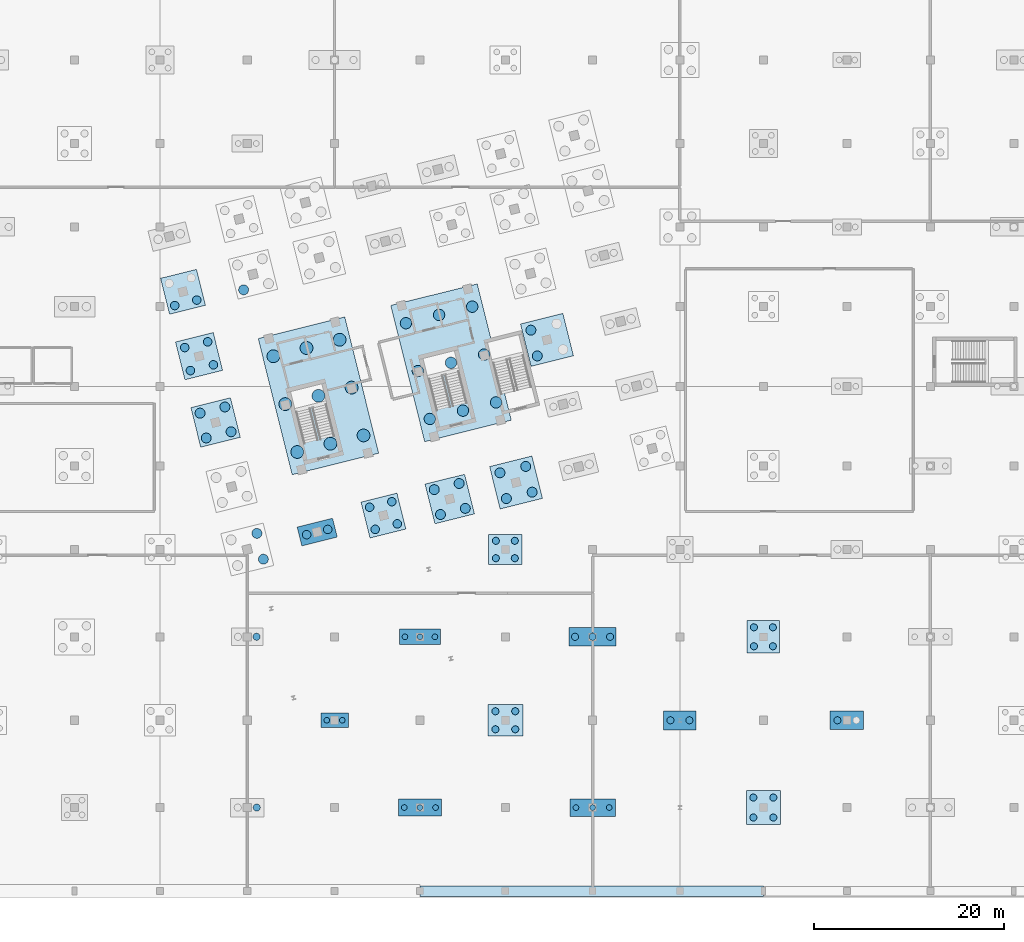
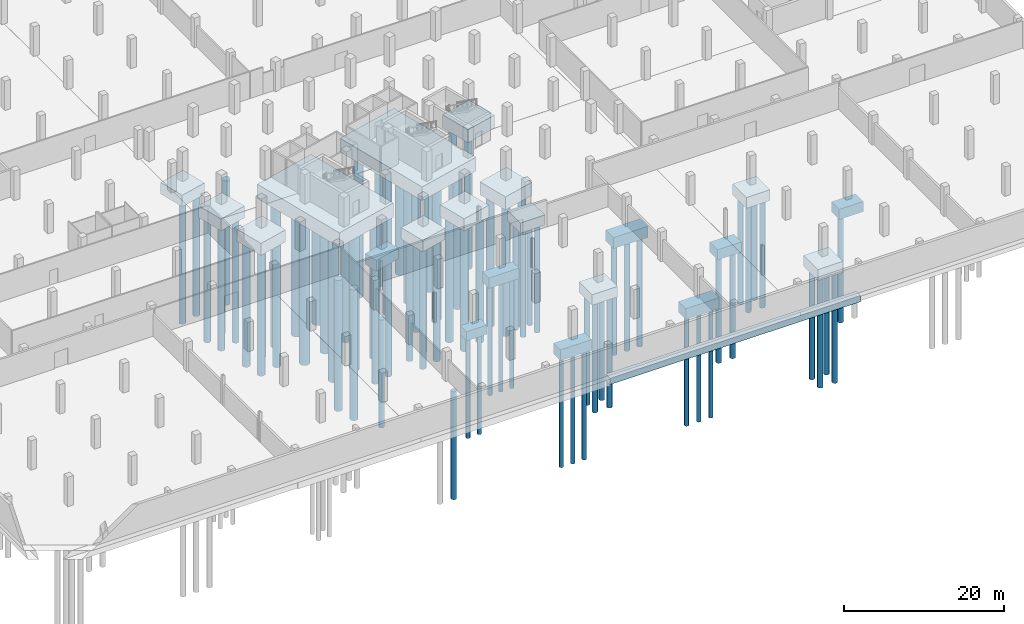
# One storey, part 2 of 29: 82 piles, 22 footings.
"""IFC4 building model written with IfcOpenShell, lengths in metres."""

from ifc_helpers import new_model, si_unit, direction, frame, origin, origin_2d, place, context, subcontext, project, spatial, rectangle, circle, extrude, material, layer, layer_set, material_profile, profile_set, type_object, element, save


model = new_model("IFC4")

# Units and contexts
model_context = context("Model", 3, precision=1e-05, world=origin(), true_north=direction((0.0, 1.0)))
body_context = subcontext(model_context, "Body", "Model", "MODEL_VIEW")
ifc_project = project(units=[si_unit("LENGTHUNIT", "METRE"), si_unit("AREAUNIT", "SQUARE_METRE"), si_unit("VOLUMEUNIT", "CUBIC_METRE"), si_unit("PLANEANGLEUNIT", "RADIAN"), si_unit("MASSUNIT", "GRAM", prefix="KILO")], contexts=[model_context])

# Site, building, storey
site_placement = place(None, origin())
site = spatial("IfcSite", under=ifc_project, at=site_placement, CompositionType="ELEMENT")
building_placement = place(site_placement, origin())
building = spatial("IfcBuilding", under=site, at=building_placement, Name="Meriwether Solvik Hall", CompositionType="ELEMENT")
storey_placement = place(building_placement, frame((0.0, 0.0, -9.0)))
storey = spatial("IfcBuildingStorey", under=building, at=storey_placement, Name="B02", CompositionType="ELEMENT", Elevation=-9.0)

# Footings
ifc_material_1 = material(Name="Concrete C40/50", Category="concrete")
ifc_layer_1 = layer(ifc_material_1, 1.39990234375)
ifc_layer_set_1 = layer_set([ifc_layer_1], Name="Concrete C40/50")
footing_type_1 = type_object("IfcFootingType", Name="FTG-PC-2900X1550X1400", PredefinedType="PILE_CAP", material=ifc_layer_set_1)
footing_1_placement = place(storey_placement, frame((77.800048828125, 23.199951171875, -2.0), z_axis=(0.0, 0.0, 1.0), x_axis=(1.0, 0.0, 0.0)))
element("IfcFooting", 1, at=footing_1_placement, inside=storey, type_object=footing_type_1, Name="Pile Cap pod_9_C", PredefinedType="PILE_CAP", context=body_context, shape_type="SweptSolid", body=[
    extrude(rectangle(XDim=2.89990234375, YDim=1.550048828125, at=origin_2d()), origin(), (0.0, 0.0, 1.0), 1.39990234375),
])
ifc_material_2 = material(Name="Concrete C40/50", Category="concrete")
ifc_layer_2 = layer(ifc_material_2, 1.550048828125)
ifc_layer_set_2 = layer_set([ifc_layer_2], Name="Concrete C40/50")
footing_type_2 = type_object("IfcFootingType", Name="FTG-PC-3450X2000X1550", PredefinedType="PILE_CAP", material=ifc_layer_set_2)
footing_2_placement = place(storey_placement, frame((114.199951171875, 23.199951171875, -2.14990234375), z_axis=(0.0, 0.0, 1.0), x_axis=(1.0, 0.0, 0.0)))
element("IfcFooting", 2, at=footing_2_placement, inside=storey, type_object=footing_type_2, Name="Pile Cap pod_13_C", PredefinedType="PILE_CAP", context=body_context, shape_type="SweptSolid", body=[
    extrude(rectangle(XDim=3.449951171875, YDim=2.0, at=origin_2d()), origin(), (0.0, 0.0, 1.0), 1.550048828125),
])
ifc_material_3 = material(Name="Concrete C40/50", Category="concrete")
ifc_layer_3 = layer(ifc_material_3, 1.64990234375)
ifc_layer_set_3 = layer_set([ifc_layer_3], Name="Concrete C40/50")
footing_type_3 = type_object("IfcFootingType", Name="FTG-PC-3450X3450X1650", PredefinedType="PILE_CAP", material=ifc_layer_set_3)
footing_3_placement = place(storey_placement, frame((123.0, 32.0, -2.25), z_axis=(0.0, 0.0, 1.0), x_axis=(1.0, 0.0, 0.0)))
element("IfcFooting", 3, at=footing_3_placement, inside=storey, type_object=footing_type_3, Name="Pile Cap pod_14_D", PredefinedType="PILE_CAP", context=body_context, shape_type="SweptSolid", body=[
    extrude(rectangle(XDim=3.449951171875, YDim=3.449951171875, at=origin_2d()), origin(), (0.0, 0.0, 1.0), 1.64990234375),
])
ifc_material_4 = material(Name="Concrete C40/50", Category="concrete")
ifc_layer_4 = layer(ifc_material_4, 1.550048828125)
ifc_layer_set_4 = layer_set([ifc_layer_4], Name="Concrete C40/50")
footing_type_4 = type_object("IfcFootingType", Name="FTG-PC-3500X1950X1550", PredefinedType="PILE_CAP", material=ifc_layer_set_4)
footing_4_placement = place(storey_placement, frame((131.800048828125, 23.199951171875, -2.14990234375), z_axis=(0.0, 0.0, 1.0), x_axis=(1.0, 0.0, 0.0)))
element("IfcFooting", 4, at=footing_4_placement, inside=storey, type_object=footing_type_4, Name="Pile Cap pod_15_C", PredefinedType="PILE_CAP", context=body_context, shape_type="SweptSolid", body=[
    extrude(rectangle(XDim=3.5, YDim=1.949951171875, at=origin_2d()), origin(), (0.0, 0.0, 1.0), 1.550048828125),
])
ifc_material_5 = material(Name="Concrete C40/50", Category="concrete")
ifc_layer_5 = layer(ifc_material_5, 1.550048828125)
ifc_layer_set_5 = layer_set([ifc_layer_5], Name="Concrete C40/50")
footing_type_5 = type_object("IfcFootingType", Name="FTG-PC-3550X3200X1550", PredefinedType="PILE_CAP", material=ifc_layer_set_5)
footing_5_placement = place(storey_placement, frame((95.800048828125, 41.199951171875, -2.14990234375), z_axis=(0.0, 0.0, 1.0), x_axis=(1.0, 0.0, 0.0)))
element("IfcFooting", 5, at=footing_5_placement, inside=storey, type_object=footing_type_5, Name="Pile Cap pod_11_E", PredefinedType="PILE_CAP", context=body_context, shape_type="SweptSolid", body=[
    extrude(rectangle(XDim=3.550048828125, YDim=3.199951171875, at=origin_2d()), origin(), (0.0, 0.0, 1.0), 1.550048828125),
])
ifc_material_6 = material(Name="Concrete C40/50", Category="concrete")
ifc_layer_6 = layer(ifc_material_6, 1.699951171875)
ifc_layer_set_6 = layer_set([ifc_layer_6], Name="Concrete C40/50")
footing_type_6 = type_object("IfcFootingType", Name="FTG-PC-3600X3600X1700", PredefinedType="PILE_CAP", material=ifc_layer_set_6)
footing_6_placement = place(storey_placement, frame((123.0, 14.0, -2.2998046875), z_axis=(0.0, 0.0, 1.0), x_axis=(1.0, 0.0, 0.0)))
element("IfcFooting", 6, at=footing_6_placement, inside=storey, type_object=footing_type_6, Name="Pile Cap pod_14_B", PredefinedType="PILE_CAP", context=body_context, shape_type="SweptSolid", body=[
    extrude(rectangle(XDim=3.60009765625, YDim=3.60009765625, at=origin_2d()), origin(), (0.0, 0.0, 1.0), 1.699951171875),
])
ifc_material_7 = material(Name="Concrete C40/50", Category="concrete")
ifc_layer_7 = layer(ifc_material_7, 1.60009765625)
ifc_layer_set_7 = layer_set([ifc_layer_7], Name="Concrete C40/50")
footing_type_7 = type_object("IfcFootingType", Name="FTG-PC-3700X3300X1600", PredefinedType="PILE_CAP", material=ifc_layer_set_7)
footing_7_placement = place(storey_placement, frame((95.800048828125, 23.199951171875, -2.199951171875), z_axis=(0.0, 0.0, 1.0), x_axis=(1.0, 0.0, 0.0)))
element("IfcFooting", 7, at=footing_7_placement, inside=storey, type_object=footing_type_7, Name="Pile Cap pod_11_C", PredefinedType="PILE_CAP", context=body_context, shape_type="SweptSolid", body=[
    extrude(rectangle(XDim=3.699951171875, YDim=3.300048828125, at=origin_2d()), origin(), (0.0, 0.0, 1.0), 1.60009765625),
])
ifc_material_8 = material(Name="Concrete C40/50", Category="concrete")
ifc_layer_8 = layer(ifc_material_8, 1.64990234375)
ifc_layer_set_8 = layer_set([ifc_layer_8], Name="Concrete C40/50")
footing_type_8 = type_object("IfcFootingType", Name="FTG-PC-3850X2050X1650", PredefinedType="PILE_CAP", material=ifc_layer_set_8)
footing_8_placement = place(storey_placement, frame((75.974365234375, 43.03857421875, -2.25), z_axis=(0.0, 0.0, 1.0), x_axis=(0.970295726276, 0.2419218956, 0.0)))
element("IfcFooting", 8, at=footing_8_placement, inside=storey, type_object=footing_type_8, Name="Pile Cap tw_T2_TA", PredefinedType="PILE_CAP", context=body_context, shape_type="SweptSolid", body=[
    extrude(rectangle(XDim=3.85009765625, YDim=2.050048828125, at=origin_2d()), origin(), (0.0, 0.0, 1.0), 1.64990234375),
])
ifc_material_9 = material(Name="Concrete C40/50", Category="concrete")
ifc_layer_9 = layer(ifc_material_9, 1.75)
ifc_layer_set_9 = layer_set([ifc_layer_9], Name="Concrete C40/50")
footing_type_9 = type_object("IfcFootingType", Name="FTG-PC-3900X3900X1750", PredefinedType="PILE_CAP", material=ifc_layer_set_9)
for number, where, z_axis, x_axis, name in (
    (9, (61.826171875, 68.3681640625, -2.35009765625), (0.0, 0.0, 1.0), (0.970295726276, 0.2419218956, 0.0), "Pile Cap tw_T1_TE"),
    (10, (82.96044921875, 44.780517578125, -2.35009765625), (0.0, 0.0, 1.0), (0.970295726276, 0.2419218956, 0.0), "Pile Cap tw_T3_TA"),
):
    element("IfcFooting", number, at=place(storey_placement, frame(where, z_axis=z_axis, x_axis=x_axis)), inside=storey, type_object=footing_type_9, Name=name, PredefinedType="PILE_CAP", context=body_context, shape_type="SweptSolid", body=[
        extrude(rectangle(XDim=3.89990234375, YDim=3.89990234375, at=origin_2d()), origin(), (0.0, 0.0, 1.0), 1.75),
    ])
ifc_material_10 = material(Name="Concrete C40/50", Category="concrete")
ifc_layer_10 = layer(ifc_material_10, 1.800048828125)
ifc_layer_set_10 = layer_set([ifc_layer_10], Name="Concrete C40/50")
footing_type_10 = type_object("IfcFootingType", Name="FTG-PC-4100X4100X1800", PredefinedType="PILE_CAP", material=ifc_layer_set_10)
footing_9_placement = place(storey_placement, frame((63.51953125, 61.576171875, -2.39990234375), z_axis=(0.0, 0.0, 1.0), x_axis=(0.970295726276, 0.2419218956, 0.0)))
element("IfcFooting", 11, at=footing_9_placement, inside=storey, type_object=footing_type_10, Name="Pile Cap tw_T1_TD", PredefinedType="PILE_CAP", context=body_context, shape_type="SweptSolid", body=[
    extrude(rectangle(XDim=4.10009765625, YDim=4.10009765625, at=origin_2d()), origin(), (0.0, 0.0, 1.0), 1.800048828125),
])
ifc_material_11 = material(Name="Concrete C40/50", Category="concrete")
ifc_layer_11 = layer(ifc_material_11, 1.85009765625)
ifc_layer_set_11 = layer_set([ifc_layer_11], Name="Concrete C40/50")
footing_type_11 = type_object("IfcFootingType", Name="FTG-PC-4300X4300X1850", PredefinedType="PILE_CAP", material=ifc_layer_set_11)
for number, where, z_axis, x_axis, name in (
    (12, (65.261474609375, 54.590087890625, -2.449951171875), (0.0, 0.0, 1.0), (0.970295726276, 0.2419218956, 0.0), "Pile Cap tw_T1_TC"),
    (13, (89.946533203125, 46.522216796875, -2.449951171875), (0.0, 0.0, 1.0), (0.970295726276, 0.2419218956, 0.0), "Pile Cap tw_T4_TA"),
):
    element("IfcFooting", number, at=place(storey_placement, frame(where, z_axis=z_axis, x_axis=x_axis)), inside=storey, type_object=footing_type_11, Name=name, PredefinedType="PILE_CAP", context=body_context, shape_type="SweptSolid", body=[
        extrude(rectangle(XDim=4.300048828125, YDim=4.300048828125, at=origin_2d()), origin(), (0.0, 0.0, 1.0), 1.85009765625),
    ])
ifc_material_12 = material(Name="Concrete C40/50", Category="concrete")
ifc_layer_12 = layer(ifc_material_12, 1.60009765625)
ifc_layer_set_12 = layer_set([ifc_layer_12], Name="Concrete C40/50")
footing_type_12 = type_object("IfcFootingType", Name="FTG-PC-4350X1650X1600", PredefinedType="PILE_CAP", material=ifc_layer_set_12)
footing_10_placement = place(storey_placement, frame((86.800048828125, 32.0, -2.199951171875), z_axis=(0.0, 0.0, 1.0), x_axis=(1.0, 0.0, 0.0)))
element("IfcFooting", 14, at=footing_10_placement, inside=storey, type_object=footing_type_12, Name="Pile Cap pod_10_D", PredefinedType="PILE_CAP", context=body_context, shape_type="SweptSolid", body=[
    extrude(rectangle(XDim=4.35009765625, YDim=1.64990234375, at=origin_2d()), origin(), (0.0, 0.0, 1.0), 1.60009765625),
])
ifc_material_13 = material(Name="Concrete C40/50", Category="concrete")
ifc_layer_13 = layer(ifc_material_13, 1.64990234375)
ifc_layer_set_13 = layer_set([ifc_layer_13], Name="Concrete C40/50")
footing_type_13 = type_object("IfcFootingType", Name="FTG-PC-4550X1750X1650", PredefinedType="PILE_CAP", material=ifc_layer_set_13)
footing_11_placement = place(storey_placement, frame((86.800048828125, 14.0, -2.25), z_axis=(0.0, 0.0, 1.0), x_axis=(1.0, 0.0, 0.0)))
element("IfcFooting", 15, at=footing_11_placement, inside=storey, type_object=footing_type_13, Name="Pile Cap pod_10_B", PredefinedType="PILE_CAP", context=body_context, shape_type="SweptSolid", body=[
    extrude(rectangle(XDim=4.550048828125, YDim=1.75, at=origin_2d()), origin(), (0.0, 0.0, 1.0), 1.64990234375),
])
ifc_material_14 = material(Name="Concrete C40/50", Category="concrete")
ifc_layer_14 = layer(ifc_material_14, 2.0)
ifc_layer_set_14 = layer_set([ifc_layer_14], Name="Concrete C40/50")
footing_type_14 = type_object("IfcFootingType", Name="FTG-PC-4600X4600X2000", PredefinedType="PILE_CAP", material=ifc_layer_set_14)
for number, where, z_axis, x_axis, name in (
    (16, (96.9326171875, 48.26416015625, -2.60009765625), (0.0, 0.0, 1.0), (0.970295726276, 0.2419218956, 0.0), "Pile Cap tw_T5_TA"),
    (17, (100.192138671875, 63.29931640625, -2.60009765625), (0.0, 0.0, 1.0), (0.970295726276, 0.2419218956, 0.0), "Pile Cap tw_T6_TC"),
):
    element("IfcFooting", number, at=place(storey_placement, frame(where, z_axis=z_axis, x_axis=x_axis)), inside=storey, type_object=footing_type_14, Name=name, PredefinedType="PILE_CAP", context=body_context, shape_type="SweptSolid", body=[
        extrude(rectangle(XDim=4.60009765625, YDim=4.60009765625, at=origin_2d()), origin(), (0.0, 0.0, 1.0), 2.0),
    ])
ifc_material_15 = material(Name="Concrete C40/50", Category="concrete")
ifc_layer_15 = layer(ifc_material_15, 1.64990234375)
ifc_layer_set_15 = layer_set([ifc_layer_15], Name="Concrete C40/50")
footing_type_15 = type_object("IfcFootingType", Name="FTG-PC-4800X1850X1650", PredefinedType="PILE_CAP", material=ifc_layer_set_15)
footing_12_placement = place(storey_placement, frame((105.0, 14.0, -2.25), z_axis=(0.0, 0.0, 1.0), x_axis=(1.0, 0.0, 0.0)))
element("IfcFooting", 18, at=footing_12_placement, inside=storey, type_object=footing_type_15, Name="Pile Cap pod_12_B", PredefinedType="PILE_CAP", context=body_context, shape_type="SweptSolid", body=[
    extrude(rectangle(XDim=4.800048828125, YDim=1.85009765625, at=origin_2d()), origin(), (0.0, 0.0, 1.0), 1.64990234375),
])
ifc_material_16 = material(Name="Concrete C40/50", Category="concrete")
ifc_layer_16 = layer(ifc_material_16, 1.699951171875)
ifc_layer_set_16 = layer_set([ifc_layer_16], Name="Concrete C40/50")
footing_type_16 = type_object("IfcFootingType", Name="FTG-PC-4950X1950X1700", PredefinedType="PILE_CAP", material=ifc_layer_set_16)
footing_13_placement = place(storey_placement, frame((105.0, 32.0, -2.2998046875), z_axis=(0.0, 0.0, 1.0), x_axis=(1.0, 0.0, 0.0)))
element("IfcFooting", 19, at=footing_13_placement, inside=storey, type_object=footing_type_16, Name="Pile Cap pod_12_D", PredefinedType="PILE_CAP", context=body_context, shape_type="SweptSolid", body=[
    extrude(rectangle(XDim=4.949951171875, YDim=1.949951171875, at=origin_2d()), origin(), (0.0, 0.0, 1.0), 1.699951171875),
])
ifc_material_17 = material(Name="Concrete C40/50", Category="concrete")
ifc_layer_17 = layer(ifc_material_17, 2.10009765625)
ifc_layer_set_17 = layer_set([ifc_layer_17], Name="Concrete C40/50")
footing_type_17 = type_object("IfcFootingType", Name="FTG-PC-9400X14800X2100", PredefinedType="PILE_CAP", material=ifc_layer_set_17)
footing_14_placement = place(storey_placement, frame((90.076904296875, 60.88037109375, -2.699951171875), z_axis=(0.0, 0.0, 1.0), x_axis=(0.970295726276, 0.2419218956, 0.0)))
element("IfcFooting", 20, at=footing_14_placement, inside=storey, type_object=footing_type_17, Name="Pile Cap core_CORE2", PredefinedType="PILE_CAP", context=body_context, shape_type="SweptSolid", body=[
    extrude(rectangle(XDim=9.39990234375, YDim=14.800048828125, at=origin_2d()), origin(), (0.0, 0.0, 1.0), 2.10009765625),
])
ifc_material_18 = material(Name="Concrete C40/50", Category="concrete")
ifc_layer_18 = layer(ifc_material_18, 2.199951171875)
ifc_layer_set_18 = layer_set([ifc_layer_18], Name="Concrete C40/50")
footing_type_18 = type_object("IfcFootingType", Name="FTG-PC-9400X14800X2200", PredefinedType="PILE_CAP", material=ifc_layer_set_18)
footing_15_placement = place(storey_placement, frame((76.1044921875, 57.396728515625, -2.7998046875), z_axis=(0.0, 0.0, 1.0), x_axis=(0.970295726276, 0.2419218956, 0.0)))
element("IfcFooting", 21, at=footing_15_placement, inside=storey, type_object=footing_type_18, Name="Pile Cap core_CORE1", PredefinedType="PILE_CAP", context=body_context, shape_type="SweptSolid", body=[
    extrude(rectangle(XDim=9.39990234375, YDim=14.800048828125, at=origin_2d()), origin(), (0.0, 0.0, 1.0), 2.199951171875),
])
ifc_material_19 = material(Name="Concrete C40/50", Category="concrete")
ifc_layer_19 = layer(ifc_material_19, 0.949951171875)
ifc_layer_set_19 = layer_set([ifc_layer_19], Name="Concrete C40/50")
footing_type_19 = type_object("IfcFootingType", Name="FTG-SF-1100X950", PredefinedType="STRIP_FOOTING", material=ifc_layer_set_19)
footing_16_placement = place(storey_placement, frame((104.89990234375, 5.199951171875, -1.5498046875), z_axis=(0.0, 0.0, 1.0), x_axis=(1.0, 0.0, 0.0)))
element("IfcFooting", 22, at=footing_16_placement, inside=storey, type_object=footing_type_19, Name="Perimeter Strip Footing SF_S3", PredefinedType="STRIP_FOOTING", context=body_context, shape_type="SweptSolid", body=[
    extrude(rectangle(XDim=36.199951171875, YDim=1.10009765625, at=origin_2d()), origin(), (0.0, 0.0, 1.0), 0.949951171875),
])

# Piles
ifc_material_20 = material(Name="Concrete C40/50", Category="concrete")
ifc_material_profile_1 = material_profile(ifc_material_20, circle(Radius=0.52490234375, at=origin_2d()), Name="PILE-D1050")
ifc_profile_set_1 = profile_set([ifc_material_profile_1], Name="Concrete C40/50")
pile_type_1 = type_object("IfcPileType", Name="PILE-BORED-1050", PredefinedType="BORED", material=ifc_profile_set_1)
for number, where, z_axis, x_axis, name in (
    (23, (70.297119140625, 40.18017578125, -2.47998046875), (0.0, 0.0, -1.0), (1.0, 0.0, 0.0), "Bored Pile P-020"),
    (24, (69.61962890625, 42.897216796875, -2.47998046875), (0.0, 0.0, -1.0), (1.0, 0.0, 0.0), "Bored Pile P-022"),
):
    element("IfcPile", number, at=place(storey_placement, frame(where, z_axis=z_axis, x_axis=x_axis)), inside=storey, type_object=pile_type_1, Name=name, PredefinedType="BORED", context=body_context, shape_type="SweptSolid", body=[
        extrude(circle(Radius=0.52490234375, at=origin_2d()), origin(), (0.0, 0.0, 1.0), 20.0),
    ])
for number, where, z_axis, x_axis, name in (
    (25, (64.278076171875, 52.95361328125, -2.330078125), (0.0, 0.0, -1.0), (1.0, 0.0, 0.0), "Bored Pile P-027"),
    (26, (66.89794921875, 53.606689453125, -2.330078125), (0.0, 0.0, -1.0), (1.0, 0.0, 0.0), "Bored Pile P-028"),
    (27, (63.625, 55.573486328125, -2.330078125), (0.0, 0.0, -1.0), (1.0, 0.0, 0.0), "Bored Pile P-029"),
    (28, (66.244873046875, 56.2265625, -2.330078125), (0.0, 0.0, -1.0), (1.0, 0.0, 0.0), "Bored Pile P-030"),
    (29, (68.217041015625, 68.5703125, -2.330078125), (0.0, 0.0, -1.0), (1.0, 0.0, 0.0), "Bored Pile P-043"),
    (30, (88.963134765625, 44.8857421875, -2.330078125), (0.0, 0.0, -1.0), (1.0, 0.0, 0.0), "Bored Pile P-063"),
    (31, (91.5830078125, 45.5390625, -2.330078125), (0.0, 0.0, -1.0), (1.0, 0.0, 0.0), "Bored Pile P-064"),
    (32, (88.31005859375, 47.505615234375, -2.330078125), (0.0, 0.0, -1.0), (1.0, 0.0, 0.0), "Bored Pile P-065"),
    (33, (90.929931640625, 48.15869140625, -2.330078125), (0.0, 0.0, -1.0), (1.0, 0.0, 0.0), "Bored Pile P-066"),
):
    element("IfcPile", number, at=place(storey_placement, frame(where, z_axis=z_axis, x_axis=x_axis)), inside=storey, type_object=pile_type_1, Name=name, PredefinedType="BORED", context=body_context, shape_type="SweptSolid", body=[
        extrude(circle(Radius=0.52490234375, at=origin_2d()), origin(), (0.0, 0.0, 1.0), 19.0),
    ])
for number, where, z_axis, x_axis, name in (
    (34, (95.912841796875, 46.56689453125, -2.47998046875), (0.0, 0.0, -1.0), (1.0, 0.0, 0.0), "Bored Pile P-071"),
    (35, (98.629638671875, 47.244384765625, -2.47998046875), (0.0, 0.0, -1.0), (1.0, 0.0, 0.0), "Bored Pile P-072"),
    (36, (95.235595703125, 49.283935546875, -2.47998046875), (0.0, 0.0, -1.0), (1.0, 0.0, 0.0), "Bored Pile P-073"),
    (37, (97.952392578125, 49.961181640625, -2.47998046875), (0.0, 0.0, -1.0), (1.0, 0.0, 0.0), "Bored Pile P-074"),
    (38, (99.17236328125, 61.60205078125, -2.47998046875), (0.0, 0.0, -1.0), (1.0, 0.0, 0.0), "Bored Pile P-085"),
    (39, (98.4951171875, 64.319091796875, -2.47998046875), (0.0, 0.0, -1.0), (1.0, 0.0, 0.0), "Bored Pile P-087"),
):
    element("IfcPile", number, at=place(storey_placement, frame(where, z_axis=z_axis, x_axis=x_axis)), inside=storey, type_object=pile_type_1, Name=name, PredefinedType="BORED", context=body_context, shape_type="SweptSolid", body=[
        extrude(circle(Radius=0.52490234375, at=origin_2d()), origin(), (0.0, 0.0, 1.0), 20.0),
    ])
ifc_material_21 = material(Name="Concrete C40/50", Category="concrete")
ifc_material_profile_2 = material_profile(ifc_material_21, circle(Radius=0.60009765625, at=origin_2d()), Name="PILE-D1200")
ifc_profile_set_2 = profile_set([ifc_material_profile_2], Name="Concrete C40/50")
pile_type_2 = type_object("IfcPileType", Name="PILE-BORED-1200", PredefinedType="BORED", material=ifc_profile_set_2)
for number, where, z_axis, x_axis, name in (
    (40, (87.841796875, 54.9638671875, -2.580078125), (0.0, 0.0, -1.0), (1.0, 0.0, 0.0), "Bored Pile P-010"),
    (41, (86.583740234375, 60.00927734375, -2.580078125), (0.0, 0.0, -1.0), (1.0, 0.0, 0.0), "Bored Pile P-011"),
    (42, (85.32568359375, 65.054931640625, -2.580078125), (0.0, 0.0, -1.0), (1.0, 0.0, 0.0), "Bored Pile P-012"),
    (43, (91.3349609375, 55.834716796875, -2.580078125), (0.0, 0.0, -1.0), (1.0, 0.0, 0.0), "Bored Pile P-013"),
    (44, (90.076904296875, 60.88037109375, -2.580078125), (0.0, 0.0, -1.0), (1.0, 0.0, 0.0), "Bored Pile P-014"),
    (45, (88.81884765625, 65.92578125, -2.580078125), (0.0, 0.0, -1.0), (1.0, 0.0, 0.0), "Bored Pile P-015"),
    (46, (94.827880859375, 56.705810546875, -2.580078125), (0.0, 0.0, -1.0), (1.0, 0.0, 0.0), "Bored Pile P-016"),
    (47, (93.56982421875, 61.751220703125, -2.580078125), (0.0, 0.0, -1.0), (1.0, 0.0, 0.0), "Bored Pile P-017"),
    (48, (92.31201171875, 66.796875, -2.580078125), (0.0, 0.0, -1.0), (1.0, 0.0, 0.0), "Bored Pile P-018"),
):
    element("IfcPile", number, at=place(storey_placement, frame(where, z_axis=z_axis, x_axis=x_axis)), inside=storey, type_object=pile_type_2, Name=name, PredefinedType="BORED", context=body_context, shape_type="SweptSolid", body=[
        extrude(circle(Radius=0.60009765625, at=origin_2d()), origin(), (0.0, 0.0, 1.0), 21.5),
    ])
ifc_material_22 = material(Name="Concrete C40/50", Category="concrete")
ifc_material_profile_3 = material_profile(ifc_material_22, circle(Radius=0.675048828125, at=origin_2d()), Name="PILE-D1350")
ifc_profile_set_3 = profile_set([ifc_material_profile_3], Name="Concrete C40/50")
pile_type_3 = type_object("IfcPileType", Name="PILE-BORED-1350", PredefinedType="BORED", material=ifc_profile_set_3)
for number, where, z_axis, x_axis, name in (
    (49, (73.86962890625, 51.480224609375, -2.679931640625), (0.0, 0.0, -1.0), (1.0, 0.0, 0.0), "Bored Pile P-001"),
    (50, (72.611572265625, 56.525634765625, -2.679931640625), (0.0, 0.0, -1.0), (1.0, 0.0, 0.0), "Bored Pile P-002"),
    (51, (71.353515625, 61.5712890625, -2.679931640625), (0.0, 0.0, -1.0), (1.0, 0.0, 0.0), "Bored Pile P-003"),
    (52, (77.362548828125, 52.35107421875, -2.679931640625), (0.0, 0.0, -1.0), (1.0, 0.0, 0.0), "Bored Pile P-004"),
    (53, (76.1044921875, 57.396728515625, -2.679931640625), (0.0, 0.0, -1.0), (1.0, 0.0, 0.0), "Bored Pile P-005"),
    (54, (74.8466796875, 62.442138671875, -2.679931640625), (0.0, 0.0, -1.0), (1.0, 0.0, 0.0), "Bored Pile P-006"),
    (55, (80.855712890625, 53.221923828125, -2.679931640625), (0.0, 0.0, -1.0), (1.0, 0.0, 0.0), "Bored Pile P-007"),
    (56, (79.59765625, 58.267578125, -2.679931640625), (0.0, 0.0, -1.0), (1.0, 0.0, 0.0), "Bored Pile P-008"),
    (57, (78.339599609375, 63.31298828125, -2.679931640625), (0.0, 0.0, -1.0), (1.0, 0.0, 0.0), "Bored Pile P-009"),
):
    element("IfcPile", number, at=place(storey_placement, frame(where, z_axis=z_axis, x_axis=x_axis)), inside=storey, type_object=pile_type_3, Name=name, PredefinedType="BORED", context=body_context, shape_type="SweptSolid", body=[
        extrude(circle(Radius=0.675048828125, at=origin_2d()), origin(), (0.0, 0.0, 1.0), 22.0),
    ])
ifc_material_23 = material(Name="Concrete C40/50", Category="concrete")
ifc_material_profile_4 = material_profile(ifc_material_23, circle(Radius=0.300048828125, at=origin_2d()), Name="PILE-D600")
ifc_profile_set_4 = profile_set([ifc_material_profile_4], Name="Concrete C40/50")
pile_type_4 = type_object("IfcPileType", Name="PILE-BORED-600", PredefinedType="BORED", material=ifc_profile_set_4)
for number, where, z_axis, x_axis, name in (
    (58, (76.97998046875, 23.199951171875, -1.8798828125), (0.0, 0.0, -1.0), (1.0, 0.0, 0.0), "Bored Pile P-241"),
    (59, (78.6201171875, 23.199951171875, -1.8798828125), (0.0, 0.0, -1.0), (1.0, 0.0, 0.0), "Bored Pile P-242"),
):
    element("IfcPile", number, at=place(storey_placement, frame(where, z_axis=z_axis, x_axis=x_axis)), inside=storey, type_object=pile_type_4, Name=name, PredefinedType="BORED", context=body_context, shape_type="SweptSolid", body=[
        extrude(circle(Radius=0.300048828125, at=origin_2d()), origin(), (0.0, 0.0, 1.0), 15.5),
    ])
for number, where, z_axis, x_axis, name in (
    (60, (85.14990234375, 14.0, -2.1298828125), (0.0, 0.0, -1.0), (1.0, 0.0, 0.0), "Bored Pile P-249"),
    (61, (86.800048828125, 14.0, -2.1298828125), (0.0, 0.0, -1.0), (1.0, 0.0, 0.0), "Bored Pile P-250"),
    (62, (88.449951171875, 14.0, -2.1298828125), (0.0, 0.0, -1.0), (1.0, 0.0, 0.0), "Bored Pile P-251"),
    (63, (85.219970703125, 32.0, -2.080078125), (0.0, 0.0, -1.0), (1.0, 0.0, 0.0), "Bored Pile P-252"),
    (64, (86.800048828125, 32.0, -2.080078125), (0.0, 0.0, -1.0), (1.0, 0.0, 0.0), "Bored Pile P-253"),
    (65, (88.3798828125, 32.0, -2.080078125), (0.0, 0.0, -1.0), (1.0, 0.0, 0.0), "Bored Pile P-254"),
    (66, (103.25, 14.0, -2.1298828125), (0.0, 0.0, -1.0), (1.0, 0.0, 0.0), "Bored Pile P-275"),
    (67, (105.0, 14.0, -2.1298828125), (0.0, 0.0, -1.0), (1.0, 0.0, 0.0), "Bored Pile P-276"),
    (68, (106.75, 14.0, -2.1298828125), (0.0, 0.0, -1.0), (1.0, 0.0, 0.0), "Bored Pile P-277"),
):
    element("IfcPile", number, at=place(storey_placement, frame(where, z_axis=z_axis, x_axis=x_axis)), inside=storey, type_object=pile_type_4, Name=name, PredefinedType="BORED", context=body_context, shape_type="SweptSolid", body=[
        extrude(circle(Radius=0.300048828125, at=origin_2d()), origin(), (0.0, 0.0, 1.0), 17.0),
    ])
ifc_material_24 = material(Name="Concrete C40/50", Category="concrete")
ifc_material_profile_5 = material_profile(ifc_material_24, circle(Radius=0.375, at=origin_2d()), Name="PILE-D750")
ifc_profile_set_5 = profile_set([ifc_material_profile_5], Name="Concrete C40/50")
pile_type_5 = type_object("IfcPileType", Name="PILE-BORED-750", PredefinedType="BORED", material=ifc_profile_set_5)
for number, where, z_axis, x_axis, name in (
    (69, (69.60009765625, 14.0, -2.030029296875), (0.0, 0.0, -1.0), (1.0, 0.0, 0.0), "Bored Pile P-234"),
    (70, (69.580078125, 32.0, -1.97998046875), (0.0, 0.0, -1.0), (1.0, 0.0, 0.0), "Bored Pile P-236"),
):
    element("IfcPile", number, at=place(storey_placement, frame(where, z_axis=z_axis, x_axis=x_axis)), inside=storey, type_object=pile_type_5, Name=name, PredefinedType="BORED", context=body_context, shape_type="SweptSolid", body=[
        extrude(circle(Radius=0.375, at=origin_2d()), origin(), (0.0, 0.0, 1.0), 16.5),
    ])
for number, where, z_axis, x_axis, name in (
    (71, (94.75, 22.25, -2.080078125), (0.0, 0.0, -1.0), (1.0, 0.0, 0.0), "Bored Pile P-259"),
    (72, (96.85009765625, 22.25, -2.080078125), (0.0, 0.0, -1.0), (1.0, 0.0, 0.0), "Bored Pile P-260"),
    (73, (94.75, 24.14990234375, -2.080078125), (0.0, 0.0, -1.0), (1.0, 0.0, 0.0), "Bored Pile P-261"),
    (74, (96.85009765625, 24.14990234375, -2.080078125), (0.0, 0.0, -1.0), (1.0, 0.0, 0.0), "Bored Pile P-262"),
):
    element("IfcPile", number, at=place(storey_placement, frame(where, z_axis=z_axis, x_axis=x_axis)), inside=storey, type_object=pile_type_5, Name=name, PredefinedType="BORED", context=body_context, shape_type="SweptSolid", body=[
        extrude(circle(Radius=0.375, at=origin_2d()), origin(), (0.0, 0.0, 1.0), 17.0),
    ])
for number, where, z_axis, x_axis, name in (
    (75, (94.800048828125, 40.280029296875, -2.030029296875), (0.0, 0.0, -1.0), (1.0, 0.0, 0.0), "Bored Pile P-263"),
    (76, (96.800048828125, 40.280029296875, -2.030029296875), (0.0, 0.0, -1.0), (1.0, 0.0, 0.0), "Bored Pile P-264"),
    (77, (94.800048828125, 42.1201171875, -2.030029296875), (0.0, 0.0, -1.0), (1.0, 0.0, 0.0), "Bored Pile P-265"),
    (78, (96.800048828125, 42.1201171875, -2.030029296875), (0.0, 0.0, -1.0), (1.0, 0.0, 0.0), "Bored Pile P-266"),
):
    element("IfcPile", number, at=place(storey_placement, frame(where, z_axis=z_axis, x_axis=x_axis)), inside=storey, type_object=pile_type_5, Name=name, PredefinedType="BORED", context=body_context, shape_type="SweptSolid", body=[
        extrude(circle(Radius=0.375, at=origin_2d()), origin(), (0.0, 0.0, 1.0), 16.5),
    ])
for number, where, z_axis, x_axis, name in (
    (79, (103.14990234375, 32.0, -2.179931640625), (0.0, 0.0, -1.0), (1.0, 0.0, 0.0), "Bored Pile P-278"),
    (80, (105.0, 32.0, -2.179931640625), (0.0, 0.0, -1.0), (1.0, 0.0, 0.0), "Bored Pile P-279"),
    (81, (106.85009765625, 32.0, -2.179931640625), (0.0, 0.0, -1.0), (1.0, 0.0, 0.0), "Bored Pile P-280"),
):
    element("IfcPile", number, at=place(storey_placement, frame(where, z_axis=z_axis, x_axis=x_axis)), inside=storey, type_object=pile_type_5, Name=name, PredefinedType="BORED", context=body_context, shape_type="SweptSolid", body=[
        extrude(circle(Radius=0.375, at=origin_2d()), origin(), (0.0, 0.0, 1.0), 17.0),
    ])
for number, where, z_axis, x_axis, name in (
    (82, (113.199951171875, 23.199951171875, -2.030029296875), (0.0, 0.0, -1.0), (1.0, 0.0, 0.0), "Bored Pile P-283"),
    (83, (115.199951171875, 23.199951171875, -2.030029296875), (0.0, 0.0, -1.0), (1.0, 0.0, 0.0), "Bored Pile P-284"),
):
    element("IfcPile", number, at=place(storey_placement, frame(where, z_axis=z_axis, x_axis=x_axis)), inside=storey, type_object=pile_type_5, Name=name, PredefinedType="BORED", context=body_context, shape_type="SweptSolid", body=[
        extrude(circle(Radius=0.375, at=origin_2d()), origin(), (0.0, 0.0, 1.0), 16.5),
    ])
for number, where, z_axis, x_axis, name in (
    (84, (121.949951171875, 12.949951171875, -2.179931640625), (0.0, 0.0, -1.0), (1.0, 0.0, 0.0), "Bored Pile P-299"),
    (85, (124.050048828125, 12.949951171875, -2.179931640625), (0.0, 0.0, -1.0), (1.0, 0.0, 0.0), "Bored Pile P-300"),
    (86, (121.949951171875, 15.050048828125, -2.179931640625), (0.0, 0.0, -1.0), (1.0, 0.0, 0.0), "Bored Pile P-301"),
    (87, (124.050048828125, 15.050048828125, -2.179931640625), (0.0, 0.0, -1.0), (1.0, 0.0, 0.0), "Bored Pile P-302"),
):
    element("IfcPile", number, at=place(storey_placement, frame(where, z_axis=z_axis, x_axis=x_axis)), inside=storey, type_object=pile_type_5, Name=name, PredefinedType="BORED", context=body_context, shape_type="SweptSolid", body=[
        extrude(circle(Radius=0.375, at=origin_2d()), origin(), (0.0, 0.0, 1.0), 17.0),
    ])
for number, where, z_axis, x_axis, name in (
    (88, (122.0, 31.0, -2.1298828125), (0.0, 0.0, -1.0), (1.0, 0.0, 0.0), "Bored Pile P-303"),
    (89, (124.0, 31.0, -2.1298828125), (0.0, 0.0, -1.0), (1.0, 0.0, 0.0), "Bored Pile P-304"),
    (90, (122.0, 33.0, -2.1298828125), (0.0, 0.0, -1.0), (1.0, 0.0, 0.0), "Bored Pile P-305"),
    (91, (124.0, 33.0, -2.1298828125), (0.0, 0.0, -1.0), (1.0, 0.0, 0.0), "Bored Pile P-306"),
    (92, (130.800048828125, 23.199951171875, -2.030029296875), (0.0, 0.0, -1.0), (1.0, 0.0, 0.0), "Bored Pile P-323"),
):
    element("IfcPile", number, at=place(storey_placement, frame(where, z_axis=z_axis, x_axis=x_axis)), inside=storey, type_object=pile_type_5, Name=name, PredefinedType="BORED", context=body_context, shape_type="SweptSolid", body=[
        extrude(circle(Radius=0.375, at=origin_2d()), origin(), (0.0, 0.0, 1.0), 16.5),
    ])
ifc_material_25 = material(Name="Concrete C40/50", Category="concrete")
ifc_material_profile_6 = material_profile(ifc_material_25, circle(Radius=0.449951171875, at=origin_2d()), Name="PILE-D900")
ifc_profile_set_6 = profile_set([ifc_material_profile_6], Name="Concrete C40/50")
pile_type_6 = type_object("IfcPileType", Name="PILE-BORED-900", PredefinedType="BORED", material=ifc_profile_set_6)
for number, where, z_axis, x_axis, name in (
    (93, (62.609130859375, 60.06103515625, -2.280029296875), (0.0, 0.0, -1.0), (1.0, 0.0, 0.0), "Bored Pile P-031"),
    (94, (65.034912109375, 60.665771484375, -2.280029296875), (0.0, 0.0, -1.0), (1.0, 0.0, 0.0), "Bored Pile P-032"),
    (95, (62.00439453125, 62.486572265625, -2.280029296875), (0.0, 0.0, -1.0), (1.0, 0.0, 0.0), "Bored Pile P-033"),
    (96, (64.43017578125, 63.091552734375, -2.280029296875), (0.0, 0.0, -1.0), (1.0, 0.0, 0.0), "Bored Pile P-034"),
):
    element("IfcPile", number, at=place(storey_placement, frame(where, z_axis=z_axis, x_axis=x_axis)), inside=storey, type_object=pile_type_6, Name=name, PredefinedType="BORED", context=body_context, shape_type="SweptSolid", body=[
        extrude(circle(Radius=0.449951171875, at=origin_2d()), origin(), (0.0, 0.0, 1.0), 19.0),
    ])
for number, where, z_axis, x_axis, name in (
    (97, (60.9521484375, 66.91357421875, -2.22998046875), (0.0, 0.0, -1.0), (1.0, 0.0, 0.0), "Bored Pile P-035"),
    (98, (63.28076171875, 67.494140625, -2.22998046875), (0.0, 0.0, -1.0), (1.0, 0.0, 0.0), "Bored Pile P-036"),
):
    element("IfcPile", number, at=place(storey_placement, frame(where, z_axis=z_axis, x_axis=x_axis)), inside=storey, type_object=pile_type_6, Name=name, PredefinedType="BORED", context=body_context, shape_type="SweptSolid", body=[
        extrude(circle(Radius=0.449951171875, at=origin_2d()), origin(), (0.0, 0.0, 1.0), 18.5),
    ])
for number, where, z_axis, x_axis, name in (
    (99, (74.8583984375, 42.760498046875, -2.1298828125), (0.0, 0.0, -1.0), (1.0, 0.0, 0.0), "Bored Pile P-041"),
    (100, (77.090087890625, 43.31689453125, -2.1298828125), (0.0, 0.0, -1.0), (1.0, 0.0, 0.0), "Bored Pile P-042"),
):
    element("IfcPile", number, at=place(storey_placement, frame(where, z_axis=z_axis, x_axis=x_axis)), inside=storey, type_object=pile_type_6, Name=name, PredefinedType="BORED", context=body_context, shape_type="SweptSolid", body=[
        extrude(circle(Radius=0.449951171875, at=origin_2d()), origin(), (0.0, 0.0, 1.0), 18.0),
    ])
for number, where, z_axis, x_axis, name in (
    (101, (82.08642578125, 43.32568359375, -2.22998046875), (0.0, 0.0, -1.0), (1.0, 0.0, 0.0), "Bored Pile P-051"),
    (102, (84.4150390625, 43.906494140625, -2.22998046875), (0.0, 0.0, -1.0), (1.0, 0.0, 0.0), "Bored Pile P-052"),
    (103, (81.505615234375, 45.654541015625, -2.22998046875), (0.0, 0.0, -1.0), (1.0, 0.0, 0.0), "Bored Pile P-053"),
    (104, (83.83447265625, 46.235107421875, -2.22998046875), (0.0, 0.0, -1.0), (1.0, 0.0, 0.0), "Bored Pile P-054"),
):
    element("IfcPile", number, at=place(storey_placement, frame(where, z_axis=z_axis, x_axis=x_axis)), inside=storey, type_object=pile_type_6, Name=name, PredefinedType="BORED", context=body_context, shape_type="SweptSolid", body=[
        extrude(circle(Radius=0.449951171875, at=origin_2d()), origin(), (0.0, 0.0, 1.0), 18.5),
    ])

save(model, "model.ifc")
